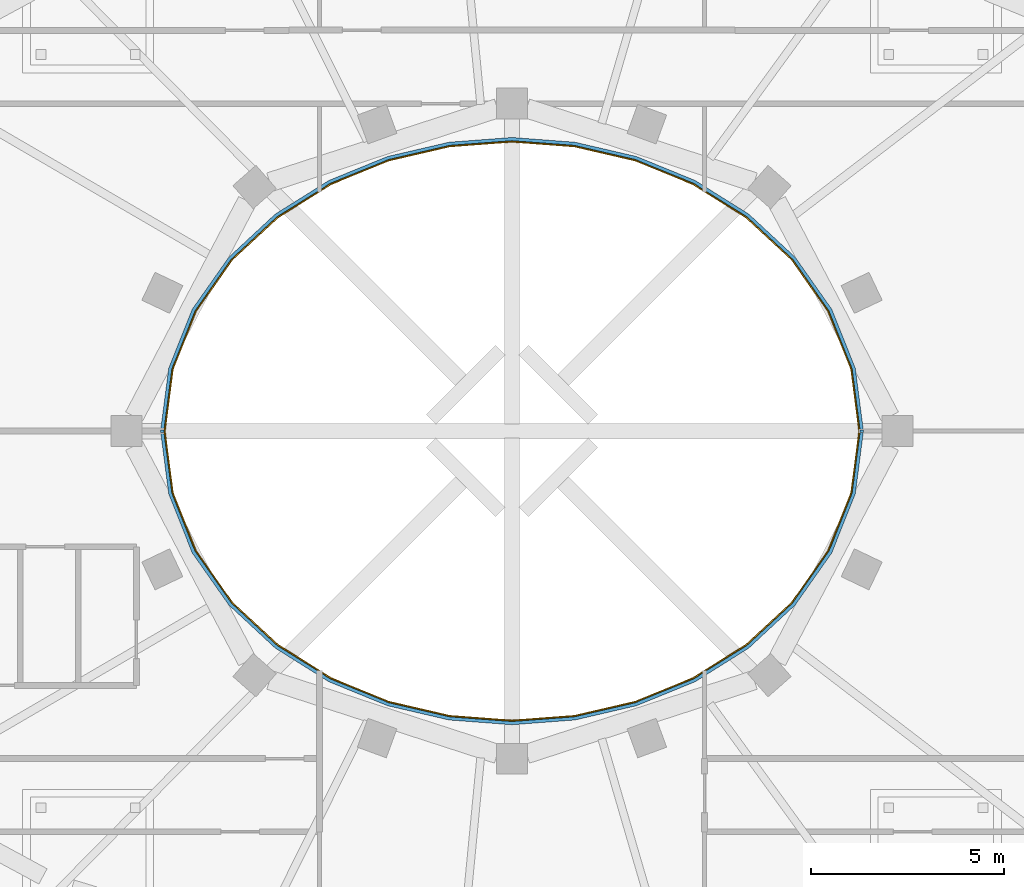
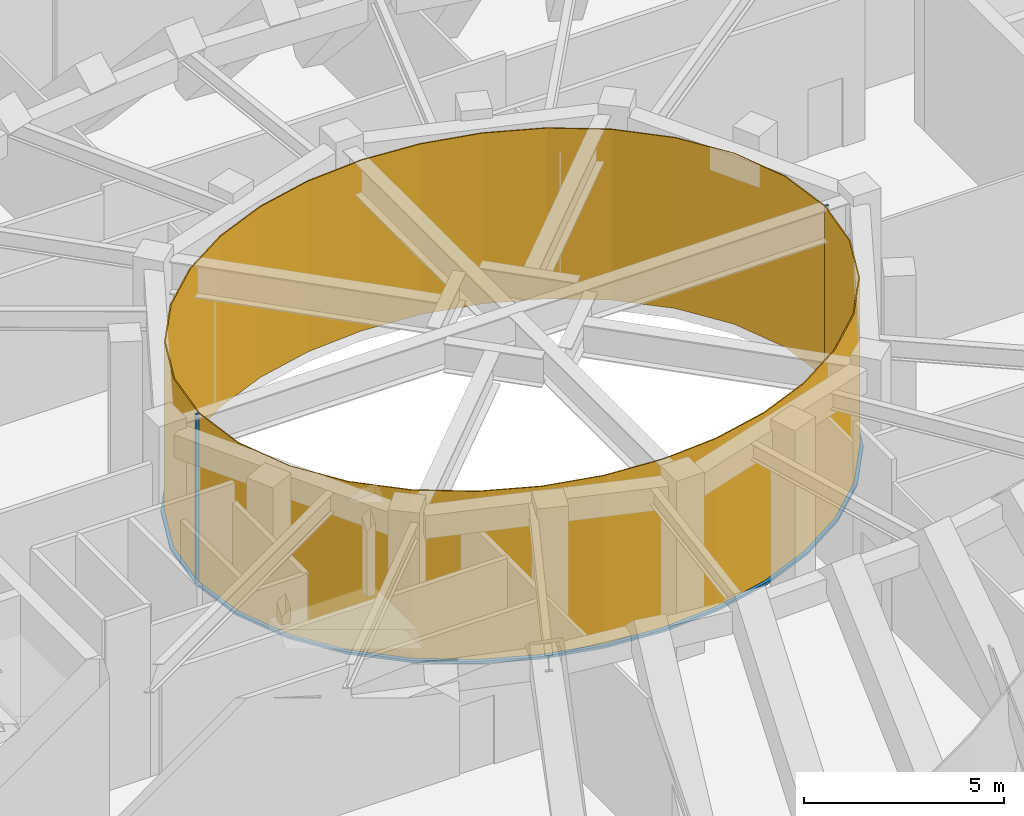
# One storey, part 7 of 13: 4 members, 2 curtain walls.
"""IFC4 building model written with IfcOpenShell, lengths in metres."""

from ifc_helpers import new_model, si_unit, direction, frame, origin, origin_2d, place, context, subcontext, project, spatial, polyline, rectangle, outline, extrude, material, layer, layer_set, material_profile, profile_set, type_object, element, aggregate, save


model = new_model("IFC4")

# Units and contexts
model_context = context("Model", 3, precision=1e-05, world=origin(), true_north=direction((0.0, 1.0)))
body_context = subcontext(model_context, "Body", "Model", "MODEL_VIEW")
ifc_project = project(units=[si_unit("LENGTHUNIT", "METRE"), si_unit("AREAUNIT", "SQUARE_METRE"), si_unit("VOLUMEUNIT", "CUBIC_METRE"), si_unit("PLANEANGLEUNIT", "RADIAN"), si_unit("MASSUNIT", "GRAM", prefix="KILO")], contexts=[model_context])

# Member
ifc_material_1 = material(Name="Steel S355 fire-resisting frame", Category="steel")
ifc_material_profile = material_profile(ifc_material_1, rectangle(XDim=0.090087890625, YDim=0.06005859375, at=origin_2d()), Name="90x60")
ifc_profile_set = profile_set([ifc_material_profile], Name="Steel S355 fire-resisting frame")
member_type_1 = type_object("IfcMemberType", Name="ENV-MULLION-W-90", PredefinedType="MULLION", material=ifc_profile_set)
site_placement = place(None, origin())
building_placement = place(site_placement, origin())
storey_placement = place(building_placement, frame((0.0, 0.0, 351.0)))
member_1_placement = place(storey_placement, frame((9.076904296875, 0.0, 0.0), z_axis=(0.0, 0.0, 1.0), x_axis=(1.0, 0.0, 0.0)))
member_1 = element("IfcMember", 1, at=member_1_placement, type_object=member_type_1, Name="Mullion W well vertex 01", PredefinedType="MULLION", context=body_context, shape_type="SweptSolid", body=[
    extrude(rectangle(XDim=0.090087890625, YDim=0.06005859375, at=origin_2d()), origin(), (0.0, 0.0, 1.0), 5.199951171875),
])

member_2_placement = place(storey_placement, frame((-9.076904296875, 0.0, 0.0), z_axis=(0.0, 0.0, 1.0), x_axis=(-1.0, 0.0, 0.0)))
member_2 = element("IfcMember", 2, at=member_2_placement, type_object=member_type_1, Name="Mullion W well vertex 17", PredefinedType="MULLION", context=body_context, shape_type="SweptSolid", body=[
    extrude(rectangle(XDim=0.090087890625, YDim=0.06005859375, at=origin_2d()), origin(), (0.0, 0.0, 1.0), 5.199951171875),
])

ifc_material_2 = material(Name="Steel S355 fire-resisting frame", Category="steel")
member_type_2 = type_object("IfcMemberType", Name="ENV-TRANSOM-W", PredefinedType="USERDEFINED", material=ifc_material_2)
member_3_placement = place(storey_placement, origin())
member_3 = element("IfcMember", 3, at=member_3_placement, type_object=member_type_2, Name="Transom W well 01-17", ObjectType="TRANSOM", PredefinedType="USERDEFINED", context=body_context, shape_type="SweptSolid", body=[
    extrude(outline(polyline([(9.119384765625, 0.02783203125), (8.910400390625, 1.63623046875), (8.29833984375, 3.167236328125), (7.35107421875, 4.5146484375), (6.1455078125, 5.6337890625), (4.75341796875, 6.50634765625), (3.233642578125, 7.127685546875), (1.635498046875, 7.498779296875), (0.0, 7.622314453125), (-1.635498046875, 7.498779296875), (-3.233642578125, 7.127685546875), (-4.75341796875, 6.50634765625), (-6.1455078125, 5.6337890625), (-7.35107421875, 4.5146484375), (-8.29833984375, 3.167236328125), (-8.910400390625, 1.63623046875), (-9.119384765625, 0.02783203125), (-9.02880859375, 0.02783203125), (-8.822509765625, 1.61328125), (-8.21875, 3.124267578125), (-7.282958984375, 4.455078125), (-6.090576171875, 5.56201171875), (-4.712158203125, 6.426025390625), (-3.206298828125, 7.04150390625), (-1.621826171875, 7.40966796875), (0.0, 7.531982421875), (1.621826171875, 7.40966796875), (3.206298828125, 7.04150390625), (4.712158203125, 6.426025390625), (6.090576171875, 5.56201171875), (7.282958984375, 4.455078125), (8.21875, 3.124267578125), (8.822509765625, 1.61328125), (9.02880859375, 0.02783203125), (9.119384765625, 0.02783203125)])), origin(), (0.0, 0.0, 1.0), 0.080078125),
])

member_4_placement = place(storey_placement, origin())
member_4 = element("IfcMember", 4, at=member_4_placement, type_object=member_type_2, Name="Transom W well 17-01", ObjectType="TRANSOM", PredefinedType="USERDEFINED", context=body_context, shape_type="SweptSolid", body=[
    extrude(outline(polyline([(-9.119384765625, -0.02783203125), (-8.910400390625, -1.63623046875), (-8.29833984375, -3.167236328125), (-7.35107421875, -4.5146484375), (-6.1455078125, -5.6337890625), (-4.75341796875, -6.50634765625), (-3.233642578125, -7.127685546875), (-1.635498046875, -7.498779296875), (0.0, -7.622314453125), (1.635498046875, -7.498779296875), (3.233642578125, -7.127685546875), (4.75341796875, -6.50634765625), (6.1455078125, -5.6337890625), (7.35107421875, -4.5146484375), (8.29833984375, -3.167236328125), (8.910400390625, -1.63623046875), (9.119384765625, -0.02783203125), (9.02880859375, -0.02783203125), (8.822509765625, -1.61328125), (8.21875, -3.124267578125), (7.282958984375, -4.455078125), (6.090576171875, -5.56201171875), (4.712158203125, -6.426025390625), (3.206298828125, -7.04150390625), (1.621826171875, -7.40966796875), (0.0, -7.531982421875), (-1.621826171875, -7.40966796875), (-3.206298828125, -7.04150390625), (-4.712158203125, -6.426025390625), (-6.090576171875, -5.56201171875), (-7.282958984375, -4.455078125), (-8.21875, -3.124267578125), (-8.822509765625, -1.61328125), (-9.02880859375, -0.02783203125), (-9.119384765625, -0.02783203125)])), origin(), (0.0, 0.0, 1.0), 0.080078125),
])

# Site, building, storey
site = spatial("IfcSite", under=ifc_project, at=site_placement, CompositionType="ELEMENT")
building = spatial("IfcBuilding", under=site, at=building_placement, Name="Noorbagh Ring Tower", CompositionType="ELEMENT")
storey = spatial("IfcBuildingStorey", under=building, at=storey_placement, Name="L77", CompositionType="ELEMENT", Elevation=351.0)

# Curtain wall
ifc_material_3 = material(Name="Glass fire-resisting E60 laminated", Category="glass")
ifc_layer = layer(ifc_material_3, 0.031982421875)
ifc_layer_set = layer_set([ifc_layer], Name="Glass fire-resisting E60 laminated")
curtain_wall_type = type_object("IfcCurtainWallType", Name="ENV-CW-W", PredefinedType="NOTDEFINED", material=ifc_layer_set)
curtain_wall_1_placement = place(storey_placement, origin())
curtain_wall_1 = element("IfcCurtainWall", 5, at=curtain_wall_1_placement, inside=storey, type_object=curtain_wall_type, Name="Curtain wall W W01", PredefinedType="NOTDEFINED", context=body_context, shape_type="SweptSolid", body=[
    extrude(outline(polyline([(9.0322265625, 0.0), (8.822509765625, 1.61328125), (8.21875, 3.124267578125), (7.282958984375, 4.455078125), (6.090576171875, 5.56201171875), (4.712158203125, 6.426025390625), (3.206298828125, 7.04150390625), (1.621826171875, 7.40966796875), (0.0, 7.531982421875), (-1.621826171875, 7.40966796875), (-3.206298828125, 7.04150390625), (-4.712158203125, 6.426025390625), (-6.090576171875, 5.56201171875), (-7.282958984375, 4.455078125), (-8.21875, 3.124267578125), (-8.822509765625, 1.61328125), (-9.0322265625, 0.0), (-9.0, 0.0), (-8.79150390625, 1.605224609375), (-8.1904296875, 3.10888671875), (-7.2587890625, 4.43408203125), (-6.071044921875, 5.53662109375), (-4.697509765625, 6.3974609375), (-3.196533203125, 7.010986328125), (-1.6171875, 7.3779296875), (0.0, 7.5), (1.6171875, 7.3779296875), (3.196533203125, 7.010986328125), (4.697509765625, 6.3974609375), (6.071044921875, 5.53662109375), (7.2587890625, 4.43408203125), (8.1904296875, 3.10888671875), (8.79150390625, 1.605224609375), (9.0, 0.0), (9.0322265625, 0.0)])), origin(), (0.0, 0.0, 1.0), 5.199951171875),
])

aggregate(curtain_wall_1, [member_1, member_2, member_3])

curtain_wall_2_placement = place(storey_placement, origin())
curtain_wall_2 = element("IfcCurtainWall", 6, at=curtain_wall_2_placement, inside=storey, type_object=curtain_wall_type, Name="Curtain wall W W17", PredefinedType="NOTDEFINED", context=body_context, shape_type="SweptSolid", body=[
    extrude(outline(polyline([(-9.0322265625, 0.0), (-8.822509765625, -1.61328125), (-8.21875, -3.124267578125), (-7.282958984375, -4.455078125), (-6.090576171875, -5.56201171875), (-4.712158203125, -6.426025390625), (-3.206298828125, -7.04150390625), (-1.621826171875, -7.40966796875), (0.0, -7.531982421875), (1.621826171875, -7.40966796875), (3.206298828125, -7.04150390625), (4.712158203125, -6.426025390625), (6.090576171875, -5.56201171875), (7.282958984375, -4.455078125), (8.21875, -3.124267578125), (8.822509765625, -1.61328125), (9.0322265625, 0.0), (9.0, 0.0), (8.79150390625, -1.605224609375), (8.1904296875, -3.10888671875), (7.2587890625, -4.43408203125), (6.071044921875, -5.53662109375), (4.697509765625, -6.3974609375), (3.196533203125, -7.010986328125), (1.6171875, -7.3779296875), (0.0, -7.5), (-1.6171875, -7.3779296875), (-3.196533203125, -7.010986328125), (-4.697509765625, -6.3974609375), (-6.071044921875, -5.53662109375), (-7.2587890625, -4.43408203125), (-8.1904296875, -3.10888671875), (-8.79150390625, -1.605224609375), (-9.0, 0.0), (-9.0322265625, 0.0)])), origin(), (0.0, 0.0, 1.0), 5.199951171875),
])

aggregate(curtain_wall_2, [member_4])

save(model, "model.ifc")
